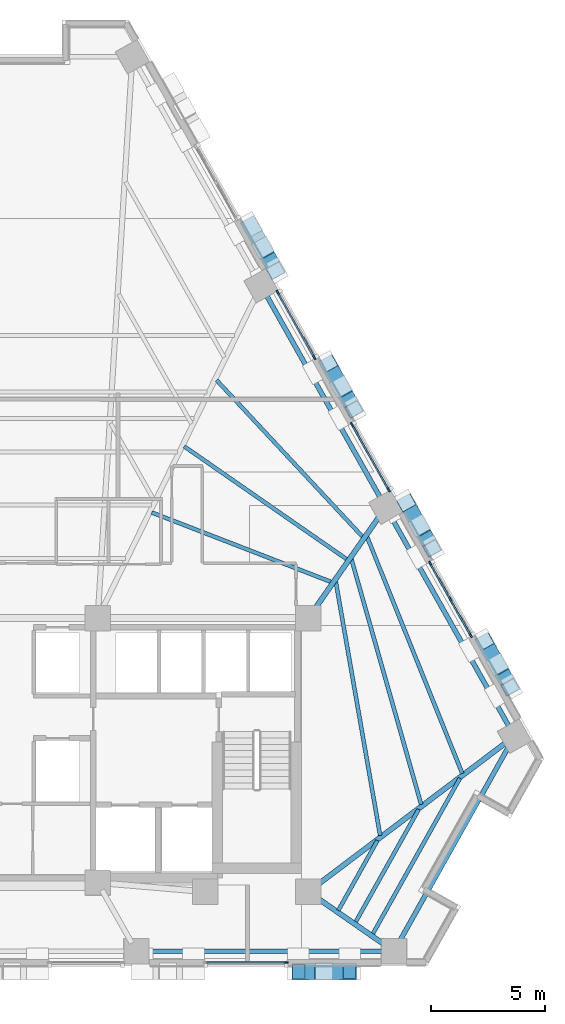
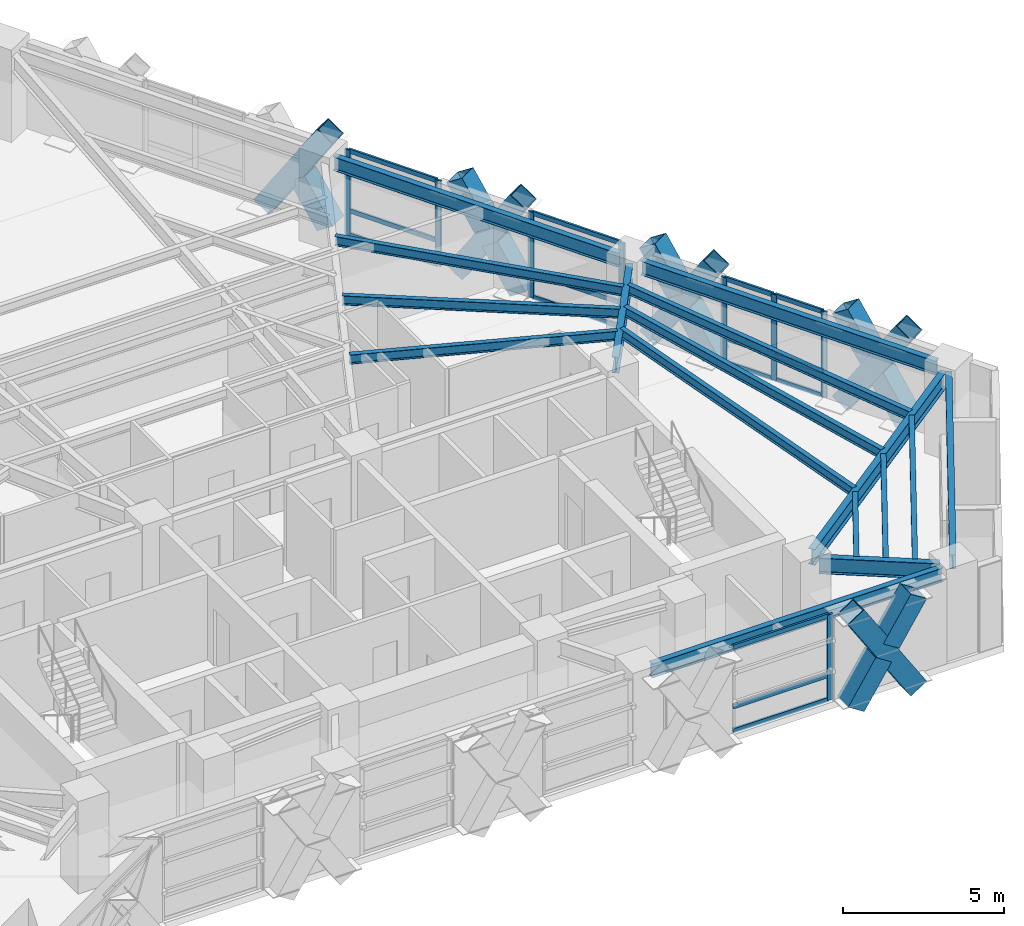
# One storey, part 4 of 14: 37 members, 16 beams, 4 elements without a shape of their own.
"""IFC4 building model written with IfcOpenShell, lengths in metres."""

from ifc_helpers import new_model, si_unit, direction, frame, origin, origin_2d, place, context, subcontext, project, spatial, rectangle, hollow_rectangle, i_section, extrude, material, material_profile, profile_set, type_object, element, aggregate, save


model = new_model("IFC4")

# Units and contexts
model_context = context("Model", 3, precision=1e-05, world=origin(), true_north=direction((0.0, 1.0)))
body_context = subcontext(model_context, "Body", "Model", "MODEL_VIEW")
ifc_project = project(units=[si_unit("LENGTHUNIT", "METRE"), si_unit("AREAUNIT", "SQUARE_METRE"), si_unit("VOLUMEUNIT", "CUBIC_METRE"), si_unit("PLANEANGLEUNIT", "RADIAN"), si_unit("MASSUNIT", "GRAM", prefix="KILO")], contexts=[model_context])

# Site, building, storey
site_placement = place(None, origin())
site = spatial("IfcSite", under=ifc_project, at=site_placement, CompositionType="ELEMENT")
building_placement = place(site_placement, origin())
building = spatial("IfcBuilding", under=site, at=building_placement, Name="Quenlor Broadcast Tower", CompositionType="ELEMENT")
storey_placement = place(building_placement, frame((0.0, 0.0, 123.0)))
storey = spatial("IfcBuildingStorey", under=building, at=storey_placement, Name="L33", CompositionType="ELEMENT", Elevation=123.0)

# Curtain wall, member
ifc_material_1 = material(Name="Architectural Terracotta and Low-E Glazing", Category="masonry")
curtain_wall_type = type_object("IfcCurtainWallType", Name="Unitised Terracotta Curtain Wall System Z2", PredefinedType="NOTDEFINED", material=ifc_material_1)
curtain_wall_1_placement = place(storey_placement, origin())
curtain_wall_1 = element("IfcCurtainWall", 1, at=curtain_wall_1_placement, inside=storey, type_object=curtain_wall_type, Name="L33 Curtain Wall CW2 (L33-SA-G1)", PredefinedType="NOTDEFINED")
ifc_material_2 = material(Name="Aluminium 6063-T6", Category="aluminium")
ifc_material_profile_1 = material_profile(ifc_material_2, rectangle(XDim=0.074951171875, YDim=0.199951171875, at=origin_2d()))
ifc_profile_set_1 = profile_set([ifc_material_profile_1], Name="Aluminium 6063-T6 MULL75x200")
member_type_1 = type_object("IfcMemberType", Name="CW2 Aluminium Mullion MULL_CW2", PredefinedType="MULLION", material=ifc_profile_set_1)
member_1_placement = place(storey_placement, frame((11.981689453125, -19.840087890625, 0.0), z_axis=(0.0, 0.0, 1.0), x_axis=(0.0, -1.0, 0.0)))
member_1 = element("IfcMember", 2, at=member_1_placement, type_object=member_type_1, Name="CW2 mullion 1", PredefinedType="MULLION", context=body_context, shape_type="SweptSolid", body=[
    extrude(rectangle(XDim=0.074951171875, YDim=0.199951171875, at=origin_2d()), origin(), (0.0, 0.0, 1.0), 3.25),
])

# Curtain wall, members
curtain_wall_2_placement = place(storey_placement, origin())
curtain_wall_2 = element("IfcCurtainWall", 3, at=curtain_wall_2_placement, inside=storey, type_object=curtain_wall_type, Name="L33 Curtain Wall CW2 (L33-NEC-G1)", PredefinedType="NOTDEFINED")
member_2_placement = place(storey_placement, frame((18.270263671875, -2.406982421875, 0.0), z_axis=(0.0, 0.0, 1.0), x_axis=(0.871566839915, 0.490276701018, 0.0)))
member_2 = element("IfcMember", 4, at=member_2_placement, type_object=member_type_1, Name="CW2 mullion 1", PredefinedType="MULLION", context=body_context, shape_type="SweptSolid", body=[
    extrude(rectangle(XDim=0.074951171875, YDim=0.199951171875, at=origin_2d()), origin(), (0.0, 0.0, 1.0), 3.25),
])
member_3_placement = place(storey_placement, frame((19.155029296875, -3.97998046875, 0.0), z_axis=(0.0, 0.0, 1.0), x_axis=(0.871566839915, 0.490276701018, 0.0)))
member_3 = element("IfcMember", 5, at=member_3_placement, type_object=member_type_1, Name="CW2 mullion 2", PredefinedType="MULLION", context=body_context, shape_type="SweptSolid", body=[
    extrude(rectangle(XDim=0.074951171875, YDim=0.199951171875, at=origin_2d()), origin(), (0.0, 0.0, 1.0), 3.25),
])
member_4_placement = place(storey_placement, frame((20.0400390625, -5.55322265625, 0.0), z_axis=(0.0, 0.0, 1.0), x_axis=(0.871566839915, 0.490276701018, 0.0)))
member_4 = element("IfcMember", 6, at=member_4_placement, type_object=member_type_1, Name="CW2 mullion 3", PredefinedType="MULLION", context=body_context, shape_type="SweptSolid", body=[
    extrude(rectangle(XDim=0.074951171875, YDim=0.199951171875, at=origin_2d()), origin(), (0.0, 0.0, 1.0), 3.25),
])

curtain_wall_3_placement = place(storey_placement, origin())
curtain_wall_3 = element("IfcCurtainWall", 7, at=curtain_wall_3_placement, inside=storey, type_object=curtain_wall_type, Name="L33 Curtain Wall CW2 (L33-NE-G1)", PredefinedType="NOTDEFINED")
member_5_placement = place(storey_placement, frame((11.611572265625, 9.430419921875, 0.0), z_axis=(0.0, 0.0, 1.0), x_axis=(0.871575537123, 0.490261239636, 0.0)))
member_5 = element("IfcMember", 8, at=member_5_placement, type_object=member_type_1, Name="CW2 mullion 1", PredefinedType="MULLION", context=body_context, shape_type="SweptSolid", body=[
    extrude(rectangle(XDim=0.074951171875, YDim=0.199951171875, at=origin_2d()), origin(), (0.0, 0.0, 1.0), 3.25),
])
member_6_placement = place(storey_placement, frame((13.2138671875, 6.582275390625, 0.0), z_axis=(0.0, 0.0, 1.0), x_axis=(0.871575537123, 0.490261239636, 0.0)))
member_6 = element("IfcMember", 9, at=member_6_placement, type_object=member_type_1, Name="CW2 mullion 2", PredefinedType="MULLION", context=body_context, shape_type="SweptSolid", body=[
    extrude(rectangle(XDim=0.074951171875, YDim=0.199951171875, at=origin_2d()), origin(), (0.0, 0.0, 1.0), 3.25),
])

curtain_wall_4_placement = place(storey_placement, origin())
curtain_wall_4 = element("IfcCurtainWall", 10, at=curtain_wall_4_placement, inside=storey, type_object=curtain_wall_type, Name="L33 Curtain Wall CW2 (L33-NE-G2)", PredefinedType="NOTDEFINED")
member_7_placement = place(storey_placement, frame((14.857177734375, 3.660888671875, 0.0), z_axis=(0.0, 0.0, 1.0), x_axis=(0.871575537123, 0.490261239636, 0.0)))
member_7 = element("IfcMember", 11, at=member_7_placement, type_object=member_type_1, Name="CW2 mullion 1", PredefinedType="MULLION", context=body_context, shape_type="SweptSolid", body=[
    extrude(rectangle(XDim=0.074951171875, YDim=0.199951171875, at=origin_2d()), origin(), (0.0, 0.0, 1.0), 3.25),
])
member_8_placement = place(storey_placement, frame((16.459228515625, 0.812744140625, 0.0), z_axis=(0.0, 0.0, 1.0), x_axis=(0.871575537123, 0.490261239636, 0.0)))
member_8 = element("IfcMember", 12, at=member_8_placement, type_object=member_type_1, Name="CW2 mullion 2", PredefinedType="MULLION", context=body_context, shape_type="SweptSolid", body=[
    extrude(rectangle(XDim=0.074951171875, YDim=0.199951171875, at=origin_2d()), origin(), (0.0, 0.0, 1.0), 3.25),
])

# Member
ifc_material_3 = material(Name="Aluminium 6063-T6", Category="aluminium")
ifc_material_profile_2 = material_profile(ifc_material_3, rectangle(XDim=0.074951171875, YDim=0.1650390625, at=origin_2d()))
ifc_profile_set_2 = profile_set([ifc_material_profile_2], Name="Aluminium 6063-T6 TRAN75x165")
member_type_2 = type_object("IfcMemberType", Name="CW2 Aluminium Transom TRAN_CW2", PredefinedType="USERDEFINED", material=ifc_profile_set_2)
member_9_placement = place(storey_placement, frame((11.944091796875, -19.840087890625, 0.03759765625), z_axis=(-1.0, 0.0, 0.0), x_axis=(0.0, -1.0, 0.0)))
member_9 = element("IfcMember", 13, at=member_9_placement, type_object=member_type_2, Name="CW2 transom 1.1", ObjectType="TRANSOM", PredefinedType="USERDEFINED", context=body_context, shape_type="SweptSolid", body=[
    extrude(rectangle(XDim=0.074951171875, YDim=0.1650390625, at=origin_2d()), origin(), (0.0, 0.0, 1.0), 3.435546875),
])

member_10_placement = place(storey_placement, frame((11.944091796875, -19.840087890625, 0.949951171875), z_axis=(-1.0, 0.0, 0.0), x_axis=(0.0, -1.0, 0.0)))
member_10 = element("IfcMember", 14, at=member_10_placement, type_object=member_type_2, Name="CW2 transom 1.2", ObjectType="TRANSOM", PredefinedType="USERDEFINED", context=body_context, shape_type="SweptSolid", body=[
    extrude(rectangle(XDim=0.074951171875, YDim=0.1650390625, at=origin_2d()), origin(), (0.0, 0.0, 1.0), 3.435546875),
])

member_11_placement = place(storey_placement, frame((11.944091796875, -19.840087890625, 3.21240234375), z_axis=(-1.0, 0.0, 0.0), x_axis=(0.0, -1.0, 0.0)))
member_11 = element("IfcMember", 15, at=member_11_placement, type_object=member_type_2, Name="CW2 transom 1.3", ObjectType="TRANSOM", PredefinedType="USERDEFINED", context=body_context, shape_type="SweptSolid", body=[
    extrude(rectangle(XDim=0.074951171875, YDim=0.1650390625, at=origin_2d()), origin(), (0.0, 0.0, 1.0), 3.435546875),
])

aggregate(curtain_wall_1, [member_1, member_9, member_10, member_11])

member_12_placement = place(storey_placement, frame((18.28857421875, -2.439453125, 0.03759765625), z_axis=(0.490261239633, -0.871575537125, 0.0), x_axis=(0.871575537125, 0.490261239633, 0.0)))
member_12 = element("IfcMember", 16, at=member_12_placement, type_object=member_type_2, Name="CW2 transom 1.1", ObjectType="TRANSOM", PredefinedType="USERDEFINED", context=body_context, shape_type="SweptSolid", body=[
    extrude(rectangle(XDim=0.074951171875, YDim=0.1650390625, at=origin_2d()), origin(), (0.0, 0.0, 1.0), 1.72998046875),
])

member_13_placement = place(storey_placement, frame((18.28857421875, -2.439453125, 0.949951171875), z_axis=(0.490261239633, -0.871575537125, 0.0), x_axis=(0.871575537125, 0.490261239633, 0.0)))
member_13 = element("IfcMember", 17, at=member_13_placement, type_object=member_type_2, Name="CW2 transom 1.2", ObjectType="TRANSOM", PredefinedType="USERDEFINED", context=body_context, shape_type="SweptSolid", body=[
    extrude(rectangle(XDim=0.074951171875, YDim=0.1650390625, at=origin_2d()), origin(), (0.0, 0.0, 1.0), 1.72998046875),
])

member_14_placement = place(storey_placement, frame((18.28857421875, -2.439453125, 3.21240234375), z_axis=(0.490261239633, -0.871575537125, 0.0), x_axis=(0.871575537125, 0.490261239633, 0.0)))
member_14 = element("IfcMember", 18, at=member_14_placement, type_object=member_type_2, Name="CW2 transom 1.3", ObjectType="TRANSOM", PredefinedType="USERDEFINED", context=body_context, shape_type="SweptSolid", body=[
    extrude(rectangle(XDim=0.074951171875, YDim=0.1650390625, at=origin_2d()), origin(), (0.0, 0.0, 1.0), 1.72998046875),
])

member_15_placement = place(storey_placement, frame((19.173583984375, -4.0126953125, 0.03759765625), z_axis=(0.490261239633, -0.871575537125, 0.0), x_axis=(0.871575537125, 0.490261239633, 0.0)))
member_15 = element("IfcMember", 19, at=member_15_placement, type_object=member_type_2, Name="CW2 transom 2.1", ObjectType="TRANSOM", PredefinedType="USERDEFINED", context=body_context, shape_type="SweptSolid", body=[
    extrude(rectangle(XDim=0.074951171875, YDim=0.1650390625, at=origin_2d()), origin(), (0.0, 0.0, 1.0), 1.72998046875),
])

member_16_placement = place(storey_placement, frame((19.173583984375, -4.0126953125, 0.949951171875), z_axis=(0.490261239633, -0.871575537125, 0.0), x_axis=(0.871575537125, 0.490261239633, 0.0)))
member_16 = element("IfcMember", 20, at=member_16_placement, type_object=member_type_2, Name="CW2 transom 2.2", ObjectType="TRANSOM", PredefinedType="USERDEFINED", context=body_context, shape_type="SweptSolid", body=[
    extrude(rectangle(XDim=0.074951171875, YDim=0.1650390625, at=origin_2d()), origin(), (0.0, 0.0, 1.0), 1.72998046875),
])

member_17_placement = place(storey_placement, frame((19.173583984375, -4.0126953125, 3.21240234375), z_axis=(0.490261239633, -0.871575537125, 0.0), x_axis=(0.871575537125, 0.490261239633, 0.0)))
member_17 = element("IfcMember", 21, at=member_17_placement, type_object=member_type_2, Name="CW2 transom 2.3", ObjectType="TRANSOM", PredefinedType="USERDEFINED", context=body_context, shape_type="SweptSolid", body=[
    extrude(rectangle(XDim=0.074951171875, YDim=0.1650390625, at=origin_2d()), origin(), (0.0, 0.0, 1.0), 1.72998046875),
])

aggregate(curtain_wall_2, [member_2, member_3, member_4, member_12, member_13, member_14, member_15, member_16, member_17])

member_18_placement = place(storey_placement, frame((11.630126953125, 9.39794921875, 0.03759765625), z_axis=(0.490206784037, -0.871606166158, 0.0), x_axis=(0.871606166158, 0.490206784037, 0.0)))
member_18 = element("IfcMember", 22, at=member_18_placement, type_object=member_type_2, Name="CW2 transom 1.1", ObjectType="TRANSOM", PredefinedType="USERDEFINED", context=body_context, shape_type="SweptSolid", body=[
    extrude(rectangle(XDim=0.074951171875, YDim=0.1650390625, at=origin_2d()), origin(), (0.0, 0.0, 1.0), 3.19287109375),
])

member_19_placement = place(storey_placement, frame((11.630126953125, 9.39794921875, 0.949951171875), z_axis=(0.490206784037, -0.871606166158, 0.0), x_axis=(0.871606166158, 0.490206784037, 0.0)))
member_19 = element("IfcMember", 23, at=member_19_placement, type_object=member_type_2, Name="CW2 transom 1.2", ObjectType="TRANSOM", PredefinedType="USERDEFINED", context=body_context, shape_type="SweptSolid", body=[
    extrude(rectangle(XDim=0.074951171875, YDim=0.1650390625, at=origin_2d()), origin(), (0.0, 0.0, 1.0), 3.19287109375),
])

member_20_placement = place(storey_placement, frame((11.630126953125, 9.39794921875, 3.21240234375), z_axis=(0.490206784037, -0.871606166158, 0.0), x_axis=(0.871606166158, 0.490206784037, 0.0)))
member_20 = element("IfcMember", 24, at=member_20_placement, type_object=member_type_2, Name="CW2 transom 1.3", ObjectType="TRANSOM", PredefinedType="USERDEFINED", context=body_context, shape_type="SweptSolid", body=[
    extrude(rectangle(XDim=0.074951171875, YDim=0.1650390625, at=origin_2d()), origin(), (0.0, 0.0, 1.0), 3.19287109375),
])

aggregate(curtain_wall_3, [member_5, member_6, member_18, member_19, member_20])

member_21_placement = place(storey_placement, frame((14.87548828125, 3.628173828125, 0.03759765625), z_axis=(0.490297543358, -0.871555115283, 0.0), x_axis=(0.871555115283, 0.490297543358, 0.0)))
member_21 = element("IfcMember", 25, at=member_21_placement, type_object=member_type_2, Name="CW2 transom 1.1", ObjectType="TRANSOM", PredefinedType="USERDEFINED", context=body_context, shape_type="SweptSolid", body=[
    extrude(rectangle(XDim=0.074951171875, YDim=0.1650390625, at=origin_2d()), origin(), (0.0, 0.0, 1.0), 3.19287109375),
])

member_22_placement = place(storey_placement, frame((14.87548828125, 3.628173828125, 0.949951171875), z_axis=(0.490297543358, -0.871555115283, 0.0), x_axis=(0.871555115283, 0.490297543358, 0.0)))
member_22 = element("IfcMember", 26, at=member_22_placement, type_object=member_type_2, Name="CW2 transom 1.2", ObjectType="TRANSOM", PredefinedType="USERDEFINED", context=body_context, shape_type="SweptSolid", body=[
    extrude(rectangle(XDim=0.074951171875, YDim=0.1650390625, at=origin_2d()), origin(), (0.0, 0.0, 1.0), 3.19287109375),
])

member_23_placement = place(storey_placement, frame((14.87548828125, 3.628173828125, 3.21240234375), z_axis=(0.490297543358, -0.871555115283, 0.0), x_axis=(0.871555115283, 0.490297543358, 0.0)))
member_23 = element("IfcMember", 27, at=member_23_placement, type_object=member_type_2, Name="CW2 transom 1.3", ObjectType="TRANSOM", PredefinedType="USERDEFINED", context=body_context, shape_type="SweptSolid", body=[
    extrude(rectangle(XDim=0.074951171875, YDim=0.1650390625, at=origin_2d()), origin(), (0.0, 0.0, 1.0), 3.19287109375),
])

aggregate(curtain_wall_4, [member_7, member_8, member_21, member_22, member_23])

# Members
ifc_material_4 = material(Name="Steel S355", Category="steel")
ifc_material_profile_3 = material_profile(ifc_material_4, hollow_rectangle(XDim=0.679931640625, YDim=0.679931640625, WallThickness=0.030029296875, at=origin_2d()))
ifc_profile_set_3 = profile_set([ifc_material_profile_3], Name="Steel S355 RHS680x680x30")
member_type_3 = type_object("IfcMemberType", Name="Perimeter Diagonal Lattice Brace Z2 Steel S355 RHS680x30", PredefinedType="BRACE", material=ifc_profile_set_3)
member_24_placement = place(storey_placement, frame((14.7578125, -20.235107421875, -0.1201171875), z_axis=(-0.539926440573, 0.0, 0.841712206618), x_axis=(0.0, -1.0, 0.0)))
element("IfcMember", 28, at=member_24_placement, inside=storey, type_object=member_type_3, Name="L33 Perimeter Diamond Lattice S-C1XA", PredefinedType="BRACE", context=body_context, shape_type="SweptSolid", body=[
    extrude(hollow_rectangle(XDim=0.679931640625, YDim=0.679931640625, WallThickness=0.030029296875, at=origin_2d()), origin(), (0.0, 0.0, 1.0), 4.158203125),
])
member_25_placement = place(storey_placement, frame((12.5126953125, -20.235107421875, -0.1201171875), z_axis=(0.539860138754, 0.0, 0.841754733034), x_axis=(0.0, 1.0, 0.0)))
element("IfcMember", 29, at=member_25_placement, inside=storey, type_object=member_type_3, Name="L33 Perimeter Diamond Lattice S-C1XB1", PredefinedType="BRACE", context=body_context, shape_type="SweptSolid", body=[
    extrude(hollow_rectangle(XDim=0.679931640625, YDim=0.679931640625, WallThickness=0.030029296875, at=origin_2d()), origin(), (0.0, 0.0, 1.0), 1.829345703125),
])
member_26_placement = place(storey_placement, frame((13.770263671875, -20.235107421875, 1.84033203125), z_axis=(0.539920793993, 0.0, 0.841715828658), x_axis=(0.0, 1.0, 0.0)))
element("IfcMember", 30, at=member_26_placement, inside=storey, type_object=member_type_3, Name="L33 Perimeter Diamond Lattice S-C1XB2", PredefinedType="BRACE", context=body_context, shape_type="SweptSolid", body=[
    extrude(hollow_rectangle(XDim=0.679931640625, YDim=0.679931640625, WallThickness=0.030029296875, at=origin_2d()), origin(), (0.0, 0.0, 1.0), 1.8291015625),
])
member_27_placement = place(storey_placement, frame((10.40478515625, 12.382080078125, -0.1201171875), z_axis=(0.268642373731, -0.477592925498, 0.83650240439), x_axis=(0.871578380919, 0.490256183964, 0.0)))
element("IfcMember", 31, at=member_27_placement, inside=storey, type_object=member_type_3, Name="L33 Perimeter Diamond Lattice NE-C2XA", PredefinedType="BRACE", context=body_context, shape_type="SweptSolid", body=[
    extrude(hollow_rectangle(XDim=0.679931640625, YDim=0.679931640625, WallThickness=0.030029296875, at=origin_2d()), origin(), (0.0, 0.0, 1.0), 4.18408203125),
])
member_28_placement = place(storey_placement, frame((11.52880859375, 10.3837890625, -0.1201171875), z_axis=(-0.268626747826, 0.477617562488, 0.836493355834), x_axis=(-0.871601370751, -0.490215310353, 0.0)))
element("IfcMember", 32, at=member_28_placement, inside=storey, type_object=member_type_3, Name="L33 Perimeter Diamond Lattice NE-C2XB1", PredefinedType="BRACE", context=body_context, shape_type="SweptSolid", body=[
    extrude(hollow_rectangle(XDim=0.679931640625, YDim=0.679931640625, WallThickness=0.030029296875, at=origin_2d()), origin(), (0.0, 0.0, 1.0), 1.84228515625),
])
member_29_placement = place(storey_placement, frame((13.81787109375, 6.314453125, -0.1201171875), z_axis=(0.268642373731, -0.477592925498, 0.83650240439), x_axis=(0.871578380919, 0.490256183964, 0.0)))
element("IfcMember", 33, at=member_29_placement, inside=storey, type_object=member_type_3, Name="L33 Perimeter Diamond Lattice NE-C3XA", PredefinedType="BRACE", context=body_context, shape_type="SweptSolid", body=[
    extrude(hollow_rectangle(XDim=0.679931640625, YDim=0.679931640625, WallThickness=0.030029296875, at=origin_2d()), origin(), (0.0, 0.0, 1.0), 4.18408203125),
])
for number, where, z_axis, x_axis, name in (
    (34, (14.94189453125, 4.316162109375, -0.1201171875), (-0.268643750061, 0.477515259729, 0.836546300141), (-0.871543234879, -0.490318661421, 0.0), "L33 Perimeter Diamond Lattice NE-C3XB1"),
    (35, (14.3125, 5.4345703125, 1.839111328125), (-0.268533549845, 0.477687519073, 0.836483333205), (-0.871704696361, -0.490031552394, 0.0), "L33 Perimeter Diamond Lattice NE-C3XB2"),
):
    element("IfcMember", number, at=place(storey_placement, frame(where, z_axis=z_axis, x_axis=x_axis)), inside=storey, type_object=member_type_3, Name=name, PredefinedType="BRACE", context=body_context, shape_type="SweptSolid", body=[
        extrude(hollow_rectangle(XDim=0.679931640625, YDim=0.679931640625, WallThickness=0.030029296875, at=origin_2d()), origin(), (0.0, 0.0, 1.0), 1.842041015625),
    ])
member_30_placement = place(storey_placement, frame((17.230712890625, 0.24658203125, -0.1201171875), z_axis=(0.268696511206, -0.477585438485, 0.836489290913), x_axis=(0.871532878923, 0.490337068716, 0.0)))
element("IfcMember", 36, at=member_30_placement, inside=storey, type_object=member_type_3, Name="L33 Perimeter Diamond Lattice NE-C4XA", PredefinedType="BRACE", context=body_context, shape_type="SweptSolid", body=[
    extrude(hollow_rectangle(XDim=0.679931640625, YDim=0.679931640625, WallThickness=0.030029296875, at=origin_2d()), origin(), (0.0, 0.0, 1.0), 4.18408203125),
])
member_31_placement = place(storey_placement, frame((18.35498046875, -1.751708984375, -0.1201171875), z_axis=(-0.268626747826, 0.477617562488, 0.836493355834), x_axis=(-0.871601370751, -0.490215310353, 0.0)))
element("IfcMember", 37, at=member_31_placement, inside=storey, type_object=member_type_3, Name="L33 Perimeter Diamond Lattice NE-C4XB1", PredefinedType="BRACE", context=body_context, shape_type="SweptSolid", body=[
    extrude(hollow_rectangle(XDim=0.679931640625, YDim=0.679931640625, WallThickness=0.030029296875, at=origin_2d()), origin(), (0.0, 0.0, 1.0), 1.84228515625),
])
member_32_placement = place(storey_placement, frame((17.7255859375, -0.633056640625, 1.839111328125), z_axis=(-0.268673537114, 0.477568206326, 0.836506508499), x_axis=(-0.871543234879, -0.490318661421, 0.0)))
element("IfcMember", 38, at=member_32_placement, inside=storey, type_object=member_type_3, Name="L33 Perimeter Diamond Lattice NE-C4XB2", PredefinedType="BRACE", context=body_context, shape_type="SweptSolid", body=[
    extrude(hollow_rectangle(XDim=0.679931640625, YDim=0.679931640625, WallThickness=0.030029296875, at=origin_2d()), origin(), (0.0, 0.0, 1.0), 1.841796875),
])
member_33_placement = place(storey_placement, frame((20.643798828125, -5.821044921875, -0.1201171875), z_axis=(0.268696511206, -0.477585438485, 0.836489290913), x_axis=(0.871532878923, 0.490337068716, 0.0)))
element("IfcMember", 39, at=member_33_placement, inside=storey, type_object=member_type_3, Name="L33 Perimeter Diamond Lattice NE-C5XA", PredefinedType="BRACE", context=body_context, shape_type="SweptSolid", body=[
    extrude(hollow_rectangle(XDim=0.679931640625, YDim=0.679931640625, WallThickness=0.030029296875, at=origin_2d()), origin(), (0.0, 0.0, 1.0), 4.18408203125),
])
member_34_placement = place(storey_placement, frame((21.76806640625, -7.8193359375, -0.1201171875), z_axis=(-0.268626747826, 0.477617562488, 0.836493355834), x_axis=(-0.871601370751, -0.490215310353, 0.0)))
element("IfcMember", 40, at=member_34_placement, inside=storey, type_object=member_type_3, Name="L33 Perimeter Diamond Lattice NE-C5XB1", PredefinedType="BRACE", context=body_context, shape_type="SweptSolid", body=[
    extrude(hollow_rectangle(XDim=0.679931640625, YDim=0.679931640625, WallThickness=0.030029296875, at=origin_2d()), origin(), (0.0, 0.0, 1.0), 1.84228515625),
])
member_35_placement = place(storey_placement, frame((21.138916015625, -6.70068359375, 1.839111328125), z_axis=(-0.268796509928, 0.477551195893, 0.836476713096), x_axis=(-0.871439858367, -0.49050236824, 0.0)))
element("IfcMember", 41, at=member_35_placement, inside=storey, type_object=member_type_3, Name="L33 Perimeter Diamond Lattice NE-C5XB2", PredefinedType="BRACE", context=body_context, shape_type="SweptSolid", body=[
    extrude(hollow_rectangle(XDim=0.679931640625, YDim=0.679931640625, WallThickness=0.030029296875, at=origin_2d()), origin(), (0.0, 0.0, 1.0), 1.842041015625),
])

# Beams
ifc_material_5 = material(Name="Steel S355", Category="steel")
ifc_material_profile_4 = material_profile(ifc_material_5, i_section(OverallWidth=0.208984375, OverallDepth=0.5283203125, WebThickness=0.009521484375, FlangeThickness=0.01318359375, FilletRadius=0.013916015625, at=origin_2d()))
ifc_profile_set_4 = profile_set([ifc_material_profile_4], Name="Steel S355 530UB82.0")
beam_type_1 = type_object("IfcBeamType", Name="Perimeter Spandrel Beam Z2 Steel S355 530UB82.0", PredefinedType="SPANDREL", material=ifc_profile_set_4)
beam_1_placement = place(storey_placement, frame((5.853271484375, -19.35009765625, 2.98583984375), z_axis=(1.0, 0.0, 0.0), x_axis=(0.0, 1.0, 0.0)))
element("IfcBeam", 42, at=beam_1_placement, inside=storey, type_object=beam_type_1, Name="L33 Spandrel Beam S3-S4", PredefinedType="SPANDREL", context=body_context, shape_type="SweptSolid", body=[
    extrude(i_section(OverallWidth=0.208984375, OverallDepth=0.5283203125, WebThickness=0.009521484375, FlangeThickness=0.01318359375, FilletRadius=0.013916015625, at=origin_2d()), origin(), (0.0, 0.0, 1.0), 10.42919921875),
])
beam_2_placement = place(storey_placement, frame((16.892822265625, -18.9921875, 2.98583984375), z_axis=(0.488749102779, 0.872424389006, 0.0), x_axis=(-0.872424389006, 0.488749102779, 0.0)))
element("IfcBeam", 43, at=beam_2_placement, inside=storey, type_object=beam_type_1, Name="L33 Spandrel Beam S4-NE1", PredefinedType="SPANDREL", context=body_context, shape_type="SweptSolid", body=[
    extrude(i_section(OverallWidth=0.208984375, OverallDepth=0.5283203125, WebThickness=0.009521484375, FlangeThickness=0.01318359375, FilletRadius=0.013916015625, at=origin_2d()), origin(), (0.0, 0.0, 1.0), 9.947021484375),
])
beam_3_placement = place(storey_placement, frame((21.753662109375, -9.59912109375, 2.98583984375), z_axis=(-0.490263415828, 0.871574313011, 0.0), x_axis=(-0.871574313011, -0.490263415828, 0.0)))
element("IfcBeam", 44, at=beam_3_placement, inside=storey, type_object=beam_type_1, Name="L33 Spandrel Beam NE1-NE2", PredefinedType="SPANDREL", context=body_context, shape_type="SweptSolid", body=[
    extrude(i_section(OverallWidth=0.208984375, OverallDepth=0.5283203125, WebThickness=0.009521484375, FlangeThickness=0.01318359375, FilletRadius=0.013916015625, at=origin_2d()), origin(), (0.0, 0.0, 1.0), 10.65283203125),
])
beam_4_placement = place(storey_placement, frame((16.129150390625, 0.400146484375, 2.98583984375), z_axis=(-0.49026462139, 0.871573634878, 0.0), x_axis=(-0.871573634878, -0.49026462139, 0.0)))
element("IfcBeam", 45, at=beam_4_placement, inside=storey, type_object=beam_type_1, Name="L33 Spandrel Beam NE2-NE3", PredefinedType="SPANDREL", context=body_context, shape_type="SweptSolid", body=[
    extrude(i_section(OverallWidth=0.208984375, OverallDepth=0.5283203125, WebThickness=0.009521484375, FlangeThickness=0.01318359375, FilletRadius=0.013916015625, at=origin_2d()), origin(), (0.0, 0.0, 1.0), 10.28271484375),
])
ifc_material_6 = material(Name="Steel S355", Category="steel")
ifc_material_profile_5 = material_profile(ifc_material_6, i_section(OverallWidth=0.172119140625, OverallDepth=0.358642578125, WebThickness=0.008056640625, FlangeThickness=0.012939453125, FilletRadius=0.011474609375, at=origin_2d()))
ifc_profile_set_5 = profile_set([ifc_material_profile_5], Name="Steel S355 360UB56.7")
beam_type_2 = type_object("IfcBeamType", Name="Tower Composite Joist Z2-Z3 Steel S355 360UB56.7", PredefinedType="JOIST", material=ifc_profile_set_5)
beam_5_placement = place(storey_placement, frame((13.95703125, -3.221435546875, 3.07080078125), z_axis=(-0.932542579586, 0.361060018916, 0.0), x_axis=(-0.361060018916, -0.932542579586, 0.0)))
element("IfcBeam", 46, at=beam_5_placement, inside=storey, type_object=beam_type_2, Name="L33 Secondary Composite Joist 10", PredefinedType="JOIST", context=body_context, shape_type="SweptSolid", body=[
    extrude(i_section(OverallWidth=0.172119140625, OverallDepth=0.358642578125, WebThickness=0.008056640625, FlangeThickness=0.012939453125, FilletRadius=0.011474609375, at=origin_2d()), origin(), (0.0, 0.0, 1.0), 8.416259765625),
])
beam_6_placement = place(storey_placement, frame((14.641845703125, -2.236083984375, 3.07080078125), z_axis=(-0.821385737622, 0.570373097219, 0.0), x_axis=(-0.570373097219, -0.821385737622, 0.0)))
element("IfcBeam", 47, at=beam_6_placement, inside=storey, type_object=beam_type_2, Name="L33 Secondary Composite Joist 11", PredefinedType="JOIST", context=body_context, shape_type="SweptSolid", body=[
    extrude(i_section(OverallWidth=0.172119140625, OverallDepth=0.358642578125, WebThickness=0.008056640625, FlangeThickness=0.012939453125, FilletRadius=0.011474609375, at=origin_2d()), origin(), (0.0, 0.0, 1.0), 8.662109375),
])
beam_7_placement = place(storey_placement, frame((15.3291015625, -1.254638671875, 3.07080078125), z_axis=(-0.681880655944, 0.73146344478, 0.0), x_axis=(-0.73146344478, -0.681880655944, 0.0)))
element("IfcBeam", 48, at=beam_7_placement, inside=storey, type_object=beam_type_2, Name="L33 Secondary Composite Joist 12", PredefinedType="JOIST", context=body_context, shape_type="SweptSolid", body=[
    extrude(i_section(OverallWidth=0.172119140625, OverallDepth=0.358642578125, WebThickness=0.008056640625, FlangeThickness=0.012939453125, FilletRadius=0.011474609375, at=origin_2d()), origin(), (0.0, 0.0, 1.0), 9.365234375),
])
beam_8_placement = place(storey_placement, frame((16.087890625, -14.29345703125, 3.07080078125), z_axis=(-0.172120396521, 0.985075920476, 0.0), x_axis=(-0.985075920476, -0.172120396521, 0.0)))
element("IfcBeam", 49, at=beam_8_placement, inside=storey, type_object=beam_type_2, Name="L33 Secondary Composite Joist 16", PredefinedType="JOIST", context=body_context, shape_type="SweptSolid", body=[
    extrude(i_section(OverallWidth=0.172119140625, OverallDepth=0.358642578125, WebThickness=0.008056640625, FlangeThickness=0.012939453125, FilletRadius=0.011474609375, at=origin_2d()), origin(), (0.0, 0.0, 1.0), 11.27783203125),
])
beam_9_placement = place(storey_placement, frame((17.880615234375, -12.9365234375, 3.07080078125), z_axis=(-0.273563993601, 0.96185380459, 0.0), x_axis=(-0.96185380459, -0.273563993601, 0.0)))
element("IfcBeam", 50, at=beam_9_placement, inside=storey, type_object=beam_type_2, Name="L33 Secondary Composite Joist 17", PredefinedType="JOIST", context=body_context, shape_type="SweptSolid", body=[
    extrude(i_section(OverallWidth=0.172119140625, OverallDepth=0.358642578125, WebThickness=0.008056640625, FlangeThickness=0.012939453125, FilletRadius=0.011474609375, at=origin_2d()), origin(), (0.0, 0.0, 1.0), 11.1484375),
])
beam_10_placement = place(storey_placement, frame((19.673583984375, -11.580810546875, 3.07080078125), z_axis=(-0.373180395983, 0.92775880058, 0.0), x_axis=(-0.92775880058, -0.373180395983, 0.0)))
element("IfcBeam", 51, at=beam_10_placement, inside=storey, type_object=beam_type_2, Name="L33 Secondary Composite Joist 18", PredefinedType="JOIST", context=body_context, shape_type="SweptSolid", body=[
    extrude(i_section(OverallWidth=0.172119140625, OverallDepth=0.358642578125, WebThickness=0.008056640625, FlangeThickness=0.012939453125, FilletRadius=0.011474609375, at=origin_2d()), origin(), (0.0, 0.0, 1.0), 11.143798828125),
])
beam_11_placement = place(storey_placement, frame((14.261474609375, -17.564208984375, 3.07080078125), z_axis=(0.488730779643, 0.87243465373, 0.0), x_axis=(-0.87243465373, 0.488730779643, 0.0)))
element("IfcBeam", 52, at=beam_11_placement, inside=storey, type_object=beam_type_2, Name="L33 Secondary Composite Joist 22", PredefinedType="JOIST", context=body_context, shape_type="SweptSolid", body=[
    extrude(i_section(OverallWidth=0.172119140625, OverallDepth=0.358642578125, WebThickness=0.008056640625, FlangeThickness=0.012939453125, FilletRadius=0.011474609375, at=origin_2d()), origin(), (0.0, 0.0, 1.0), 3.500732421875),
])
beam_12_placement = place(storey_placement, frame((15.010009765625, -18.084228515625, 3.07080078125), z_axis=(0.488741419435, 0.87242869332, 0.0), x_axis=(-0.87242869332, 0.488741419435, 0.0)))
element("IfcBeam", 53, at=beam_12_placement, inside=storey, type_object=beam_type_2, Name="L33 Secondary Composite Joist 23", PredefinedType="JOIST", context=body_context, shape_type="SweptSolid", body=[
    extrude(i_section(OverallWidth=0.172119140625, OverallDepth=0.358642578125, WebThickness=0.008056640625, FlangeThickness=0.012939453125, FilletRadius=0.011474609375, at=origin_2d()), origin(), (0.0, 0.0, 1.0), 5.654052734375),
])
beam_13_placement = place(storey_placement, frame((15.758544921875, -18.604248046875, 3.07080078125), z_axis=(0.488732857155, 0.872433489922, 0.0), x_axis=(-0.872433489922, 0.488732857155, 0.0)))
element("IfcBeam", 54, at=beam_13_placement, inside=storey, type_object=beam_type_2, Name="L33 Secondary Composite Joist 24", PredefinedType="JOIST", context=body_context, shape_type="SweptSolid", body=[
    extrude(i_section(OverallWidth=0.172119140625, OverallDepth=0.358642578125, WebThickness=0.008056640625, FlangeThickness=0.012939453125, FilletRadius=0.011474609375, at=origin_2d()), origin(), (0.0, 0.0, 1.0), 7.807861328125),
])
ifc_material_7 = material(Name="Steel S355", Category="steel")
ifc_material_profile_6 = material_profile(ifc_material_7, i_section(OverallWidth=0.22802734375, OverallDepth=0.60205078125, WebThickness=0.010498046875, FlangeThickness=0.014892578125, FilletRadius=0.013916015625, at=origin_2d()))
ifc_profile_set_6 = profile_set([ifc_material_profile_6], Name="Steel S355 610UB101")
beam_type_3 = type_object("IfcBeamType", Name="Tower Primary Floor Beam Z2 Steel S355 610UB101", PredefinedType="BEAM", material=ifc_profile_set_6)
beam_14_placement = place(storey_placement, frame((16.355712890625, -19.1162109375, 2.948974609375), z_axis=(-0.821227395059, 0.570601056436, 0.0), x_axis=(-0.570601056436, -0.821227395059, 0.0)))
element("IfcBeam", 55, at=beam_14_placement, inside=storey, type_object=beam_type_3, Name="L33 Primary Radial Beam S4", PredefinedType="BEAM", context=body_context, shape_type="SweptSolid", body=[
    extrude(i_section(OverallWidth=0.22802734375, OverallDepth=0.60205078125, WebThickness=0.010498046875, FlangeThickness=0.014892578125, FilletRadius=0.013916015625, at=origin_2d()), origin(), (0.0, 0.0, 1.0), 3.766845703125),
])
beam_15_placement = place(storey_placement, frame((21.62744140625, -10.203369140625, 2.948974609375), z_axis=(-0.798298724007, -0.602261693327, 0.0), x_axis=(0.602261693327, -0.798298724007, 0.0)))
element("IfcBeam", 56, at=beam_15_placement, inside=storey, type_object=beam_type_3, Name="L33 Primary Radial Beam NE1", PredefinedType="BEAM", context=body_context, shape_type="SweptSolid", body=[
    extrude(i_section(OverallWidth=0.22802734375, OverallDepth=0.60205078125, WebThickness=0.010498046875, FlangeThickness=0.014892578125, FilletRadius=0.013916015625, at=origin_2d()), origin(), (0.0, 0.0, 1.0), 10.48974609375),
])
beam_16_placement = place(storey_placement, frame((16.095458984375, -0.293212890625, 2.948974609375), z_axis=(-0.572337599985, -0.820018092266, 0.0), x_axis=(0.820018092266, -0.572337599985, 0.0)))
element("IfcBeam", 57, at=beam_16_placement, inside=storey, type_object=beam_type_3, Name="L33 Primary Radial Beam NE2", PredefinedType="BEAM", context=body_context, shape_type="SweptSolid", body=[
    extrude(i_section(OverallWidth=0.22802734375, OverallDepth=0.60205078125, WebThickness=0.010498046875, FlangeThickness=0.014892578125, FilletRadius=0.013916015625, at=origin_2d()), origin(), (0.0, 0.0, 1.0), 5.11572265625),
])

save(model, "model.ifc")
